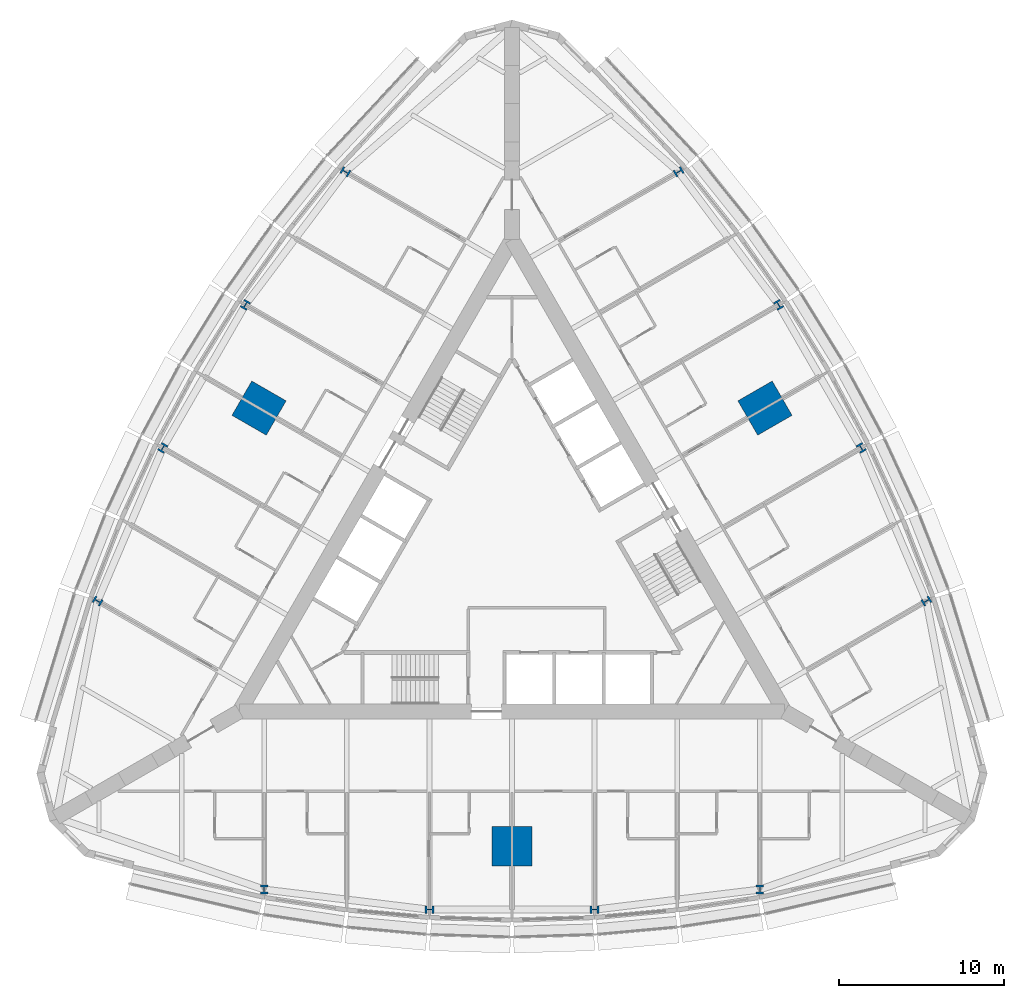
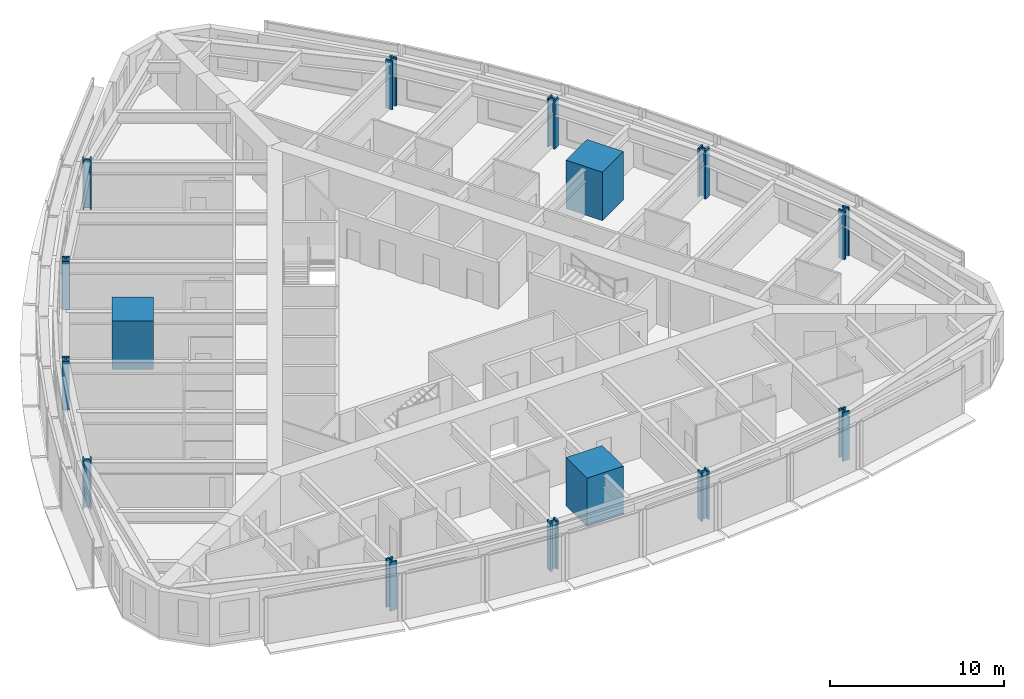
# One storey, part 1 of 14: 15 columns.
"""IFC4 building model written with IfcOpenShell, lengths in metres."""

from ifc_helpers import new_model, si_unit, direction, frame, origin, origin_2d, place, context, subcontext, project, spatial, rectangle, i_section, extrude, material, material_profile, profile_set, type_object, element, save


model = new_model("IFC4")

# Units and contexts
model_context = context("Model", 3, precision=1e-05, world=origin(), true_north=direction((0.0, 1.0)))
body_context = subcontext(model_context, "Body", "Model", "MODEL_VIEW")
ifc_project = project(units=[si_unit("LENGTHUNIT", "METRE"), si_unit("AREAUNIT", "SQUARE_METRE"), si_unit("VOLUMEUNIT", "CUBIC_METRE"), si_unit("PLANEANGLEUNIT", "RADIAN"), si_unit("MASSUNIT", "GRAM", prefix="KILO")], contexts=[model_context])

# Site, building, storey
site_placement = place(None, origin())
site = spatial("IfcSite", under=ifc_project, at=site_placement, CompositionType="ELEMENT")
building_placement = place(site_placement, origin())
building = spatial("IfcBuilding", under=site, at=building_placement, Name="Trikona Tower", CompositionType="ELEMENT")
storey_placement = place(building_placement, frame((0.0, 0.0, 72.699951171875)))
storey = spatial("IfcBuildingStorey", under=building, at=storey_placement, Name="L18", CompositionType="ELEMENT", Elevation=72.699951171875)

# Columns
ifc_material_1 = material(Name="Concrete f'c 10000 psi with encased steel section", Category="concrete")
ifc_material_profile_1 = material_profile(ifc_material_1, rectangle(XDim=2.39990234375, YDim=2.39990234375, at=origin_2d()), Name="MC2400")
ifc_profile_set_1 = profile_set([ifc_material_profile_1], Name="Concrete f'c 10000 psi with encased steel section")
column_type_1 = type_object("IfcColumnType", Name="Composite mega column 2400x2400", PredefinedType="COLUMN", material=ifc_profile_set_1)
for number, where, z_axis, x_axis, name in (
    (1, (0.0, -17.680419921875, 0.0), (0.0, 0.0, 1.0), (0.0, -1.0, 0.0), "Mega column MC1"),
    (2, (15.311767578125, 8.84033203125, 0.0), (0.0, 0.0, 1.0), (0.866025403784, 0.5, 0.0), "Mega column MC2"),
    (3, (-15.311767578125, 8.84033203125, 0.0), (0.0, 0.0, 1.0), (-0.866025403784, 0.5, 0.0), "Mega column MC3"),
):
    element("IfcColumn", number, at=place(storey_placement, frame(where, z_axis=z_axis, x_axis=x_axis)), inside=storey, type_object=column_type_1, Name=name, PredefinedType="COLUMN", context=body_context, shape_type="SweptSolid", body=[
        extrude(rectangle(XDim=2.39990234375, YDim=2.39990234375, at=origin_2d()), origin(), (0.0, 0.0, 1.0), 3.400146484375),
    ])
ifc_material_2 = material(Name="Steel ASTM A992 Grade 50", Category="steel")
ifc_material_profile_2 = material_profile(ifc_material_2, i_section(OverallWidth=0.44189453125, OverallDepth=0.53076171875, WebThickness=0.06591796875, FlangeThickness=0.105712890625, at=origin_2d()), Name="W14X605")
ifc_profile_set_2 = profile_set([ifc_material_profile_2], Name="Steel ASTM A992 Grade 50")
column_type_2 = type_object("IfcColumnType", Name="Steel column W14x605", PredefinedType="COLUMN", material=ifc_profile_set_2)
for number, where, z_axis, x_axis, name in (
    (4, (-15.0, -20.302978515625, 0.0), (0.0, 0.0, 1.0), (1.0, 0.0, 0.0), "Column F0m15"),
    (5, (-5.0, -21.5205078125, 0.0), (0.0, 0.0, 1.0), (0.0, -1.0, 0.0), "Column F0m5"),
    (6, (5.0, -21.5205078125, 0.0), (0.0, 0.0, 1.0), (0.0, -1.0, 0.0), "Column F0p5"),
    (7, (15.0, -20.302978515625, 0.0), (0.0, 0.0, 1.0), (1.0, 0.0, 0.0), "Column F0p15"),
    (8, (25.0830078125, -2.8388671875, 0.0), (0.0, 0.0, 1.0), (-0.5, 0.866025403784, 0.0), "Column F1m15"),
    (9, (21.13720703125, 6.43017578125, 0.0), (0.0, 0.0, 1.0), (0.866025403784, 0.5, 0.0), "Column F1m5"),
    (10, (16.13720703125, 15.09033203125, 0.0), (0.0, 0.0, 1.0), (0.866025403784, 0.5, 0.0), "Column F1p5"),
    (11, (10.0830078125, 23.141845703125, 0.0), (0.0, 0.0, 1.0), (-0.5, 0.866025403784, 0.0), "Column F1p15"),
    (12, (-10.0830078125, 23.141845703125, 0.0), (0.0, 0.0, 1.0), (-0.5, -0.866025403784, 0.0), "Column F2m15"),
    (13, (-16.13720703125, 15.09033203125, 0.0), (0.0, 0.0, 1.0), (-0.866025403784, 0.5, 0.0), "Column F2m5"),
    (14, (-21.13720703125, 6.43017578125, 0.0), (0.0, 0.0, 1.0), (-0.866025403784, 0.5, 0.0), "Column F2p5"),
    (15, (-25.0830078125, -2.8388671875, 0.0), (0.0, 0.0, 1.0), (-0.5, -0.866025403784, 0.0), "Column F2p15"),
):
    element("IfcColumn", number, at=place(storey_placement, frame(where, z_axis=z_axis, x_axis=x_axis)), inside=storey, type_object=column_type_2, Name=name, PredefinedType="COLUMN", context=body_context, shape_type="SweptSolid", body=[
        extrude(i_section(OverallWidth=0.44189453125, OverallDepth=0.53076171875, WebThickness=0.06591796875, FlangeThickness=0.105712890625, at=origin_2d()), origin(), (0.0, 0.0, 1.0), 3.400146484375),
    ])

save(model, "model.ifc")
